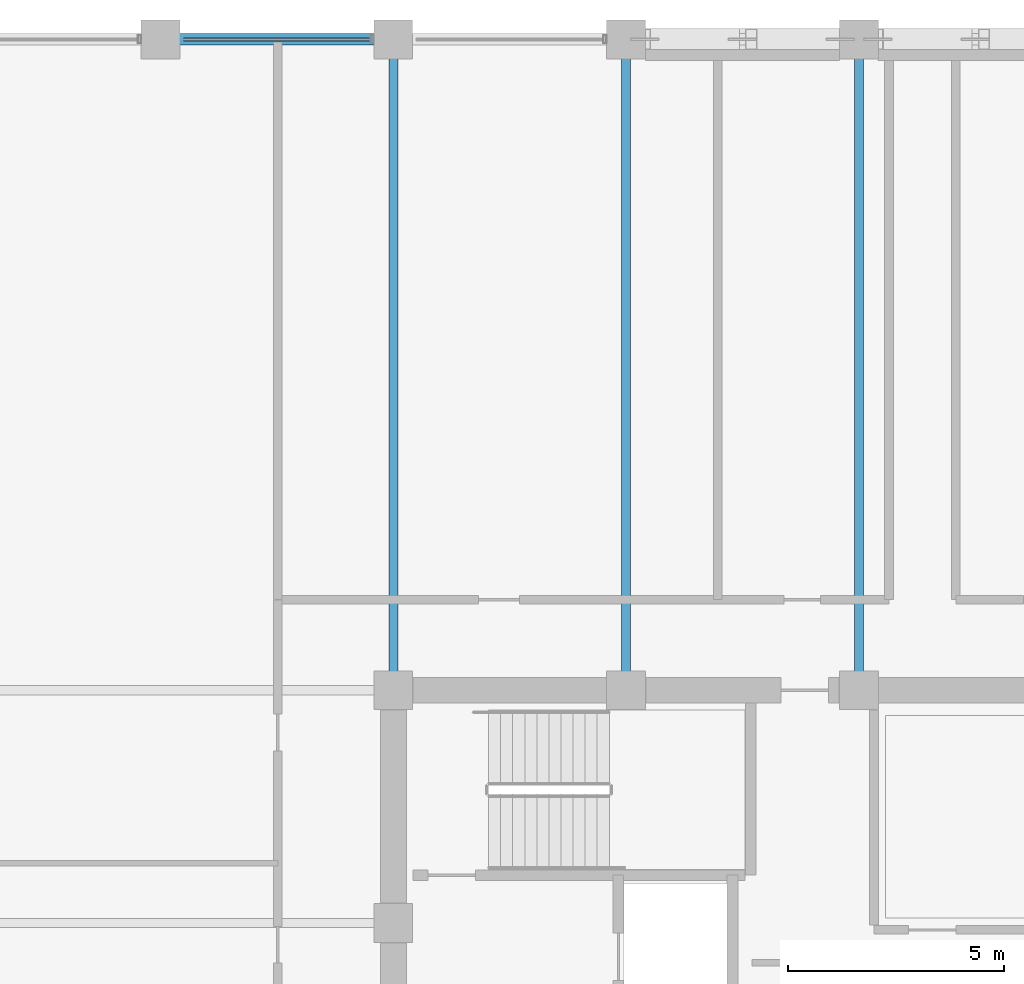
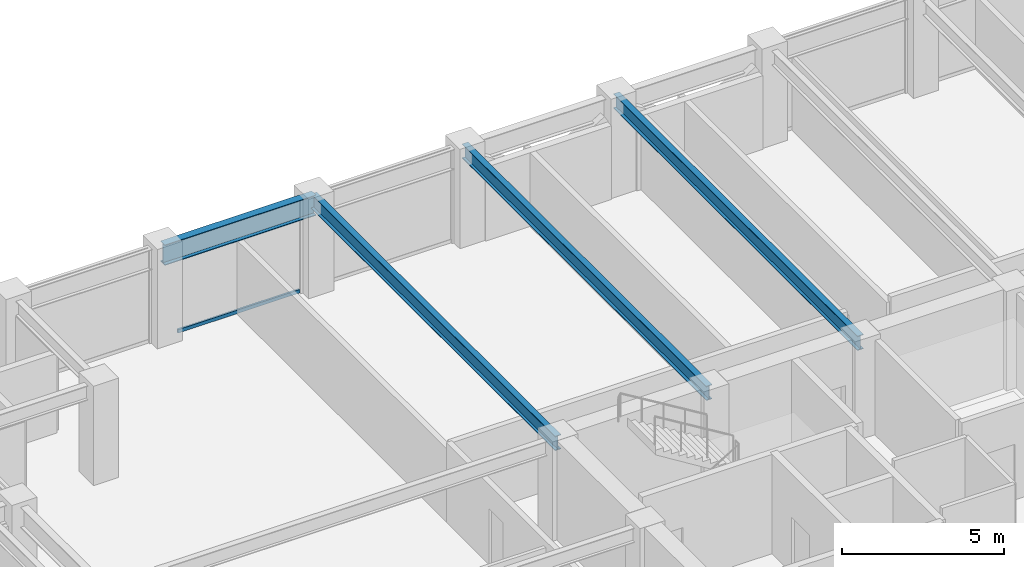
# One storey, part 19 of 32: 4 beams, 1 member, 1 element without a shape of its own.
"""IFC4 building model written with IfcOpenShell, lengths in metres."""

from ifc_helpers import new_model, si_unit, direction, frame, origin, origin_2d, place, context, subcontext, project, spatial, hollow_rectangle, i_section, extrude, material, layer, layer_set, material_profile, profile_set, type_object, element, aggregate, save


model = new_model("IFC4")

# Units and contexts
model_context = context("Model", 3, precision=1e-05, world=origin(), true_north=direction((0.0, 1.0)))
body_context = subcontext(model_context, "Body", "Model", "MODEL_VIEW")
ifc_project = project(units=[si_unit("LENGTHUNIT", "METRE"), si_unit("AREAUNIT", "SQUARE_METRE"), si_unit("VOLUMEUNIT", "CUBIC_METRE"), si_unit("PLANEANGLEUNIT", "RADIAN"), si_unit("MASSUNIT", "GRAM", prefix="KILO")], contexts=[model_context])

# Site, building, storey
site_placement = place(None, origin())
site = spatial("IfcSite", under=ifc_project, at=site_placement, CompositionType="ELEMENT")
building_placement = place(site_placement, origin())
building = spatial("IfcBuilding", under=site, at=building_placement, Name="Surkhivell Harbour Commons", CompositionType="ELEMENT")
storey_placement = place(building_placement, frame((0.0, 0.0, 189.75)))
storey = spatial("IfcBuildingStorey", under=building, at=storey_placement, Name="L49", CompositionType="ELEMENT", Elevation=189.75)

# Beams
ifc_material_1 = material(Name="Steel S355", Category="steel")
ifc_material_profile_1 = material_profile(ifc_material_1, i_section(OverallWidth=0.2119140625, OverallDepth=0.5439453125, WebThickness=0.0126953125, FlangeThickness=0.021240234375, at=origin_2d()), Name="UB533x210x122")
ifc_profile_set_1 = profile_set([ifc_material_profile_1], Name="Steel S355")
beam_type_1 = type_object("IfcBeamType", Name="BM-GRD-533A", PredefinedType="BEAM", material=ifc_profile_set_1)
for number, where, z_axis, x_axis, name in (
    (1, (-10.800048828125, 10.800048828125, 3.298095703125), (0.0, 1.0, 0.0), (-1.0, 0.0, 0.0), "L49 Floor Girder (-10.8,10.8)"),
    (2, (-5.39990234375, 10.800048828125, 3.298095703125), (0.0, 1.0, 0.0), (-1.0, 0.0, 0.0), "L49 Floor Girder (-5.4,10.8)"),
    (3, (0.0, 10.800048828125, 3.298095703125), (0.0, 1.0, 0.0), (-1.0, 0.0, 0.0), "L49 Floor Girder (0.0,10.8)"),
):
    element("IfcBeam", number, at=place(storey_placement, frame(where, z_axis=z_axis, x_axis=x_axis)), inside=storey, type_object=beam_type_1, Name=name, PredefinedType="BEAM", context=body_context, shape_type="SweptSolid", body=[
        extrude(i_section(OverallWidth=0.2119140625, OverallDepth=0.5439453125, WebThickness=0.0126953125, FlangeThickness=0.021240234375, at=origin_2d()), origin(), (0.0, 0.0, 1.0), 15.099853515625),
    ])
ifc_material_profile_2 = material_profile(ifc_material_1, i_section(OverallWidth=0.26806640625, OverallDepth=0.77001953125, WebThickness=0.015625, FlangeThickness=0.025390625, at=origin_2d()), Name="UB762x267x197")
ifc_profile_set_2 = profile_set([ifc_material_profile_2], Name="Steel S355")
beam_type_2 = type_object("IfcBeamType", Name="BM-SPN-762", PredefinedType="SPANDREL", material=ifc_profile_set_2)
beam_placement = place(storey_placement, frame((-16.199951171875, 25.89990234375, 3.18505859375), z_axis=(1.0, 0.0, 0.0), x_axis=(0.0, 1.0, 0.0)))
element("IfcBeam", 4, at=beam_placement, inside=storey, type_object=beam_type_2, Name="L49 Tube Spandrel (-16.2,25.9)", PredefinedType="SPANDREL", context=body_context, shape_type="SweptSolid", body=[
    extrude(i_section(OverallWidth=0.26806640625, OverallDepth=0.77001953125, WebThickness=0.015625, FlangeThickness=0.025390625, at=origin_2d()), origin(), (0.0, 0.0, 1.0), 5.39990234375),
])

# Curtain wall, member
ifc_material_2 = material(Name="Anodised pale-metal aluminium and insulated glazing", Category="aluminium")
ifc_layer = layer(ifc_material_2, 0.18994140625)
ifc_layer_set = layer_set([ifc_layer], Name="Anodised pale-metal aluminium and insulated glazing")
curtain_wall_type = type_object("IfcCurtainWallType", Name="CW-SYS-Z3", PredefinedType="NOTDEFINED", material=ifc_layer_set)
curtain_wall_placement = place(storey_placement, origin())
curtain_wall = element("IfcCurtainWall", 5, at=curtain_wall_placement, inside=storey, type_object=curtain_wall_type, Name="L49 Curtain Wall CW-L49-E07S2", PredefinedType="NOTDEFINED")
ifc_material_3 = material(Name="Champagne anodised aluminium alloy 6063-T6", Category="aluminium")
ifc_material_profile_3 = material_profile(ifc_material_3, hollow_rectangle(XDim=0.070068359375, YDim=0.1298828125, WallThickness=0.00341796875, at=origin_2d()), Name="ALU-TRAN-70x130")
ifc_profile_set_3 = profile_set([ifc_material_profile_3], Name="Champagne anodised aluminium alloy 6063-T6")
member_type = type_object("IfcMemberType", Name="CWT-130", PredefinedType="USERDEFINED", material=ifc_profile_set_3)
member_placement = place(storey_placement, frame((-11.326904296875, 25.89990234375, 0.06494140625), z_axis=(-1.0, 0.0, 0.0), x_axis=(0.0, -1.0, 0.0)))
member = element("IfcMember", 6, at=member_placement, type_object=member_type, Name="CW-Z3 transom 2.1", ObjectType="TRANSOM", PredefinedType="USERDEFINED", context=body_context, shape_type="SweptSolid", body=[
    extrude(hollow_rectangle(XDim=0.070068359375, YDim=0.1298828125, WallThickness=0.00341796875, at=origin_2d()), origin(), (0.0, 0.0, 1.0), 4.34619140625),
])
aggregate(curtain_wall, [member])

save(model, "model.ifc")
